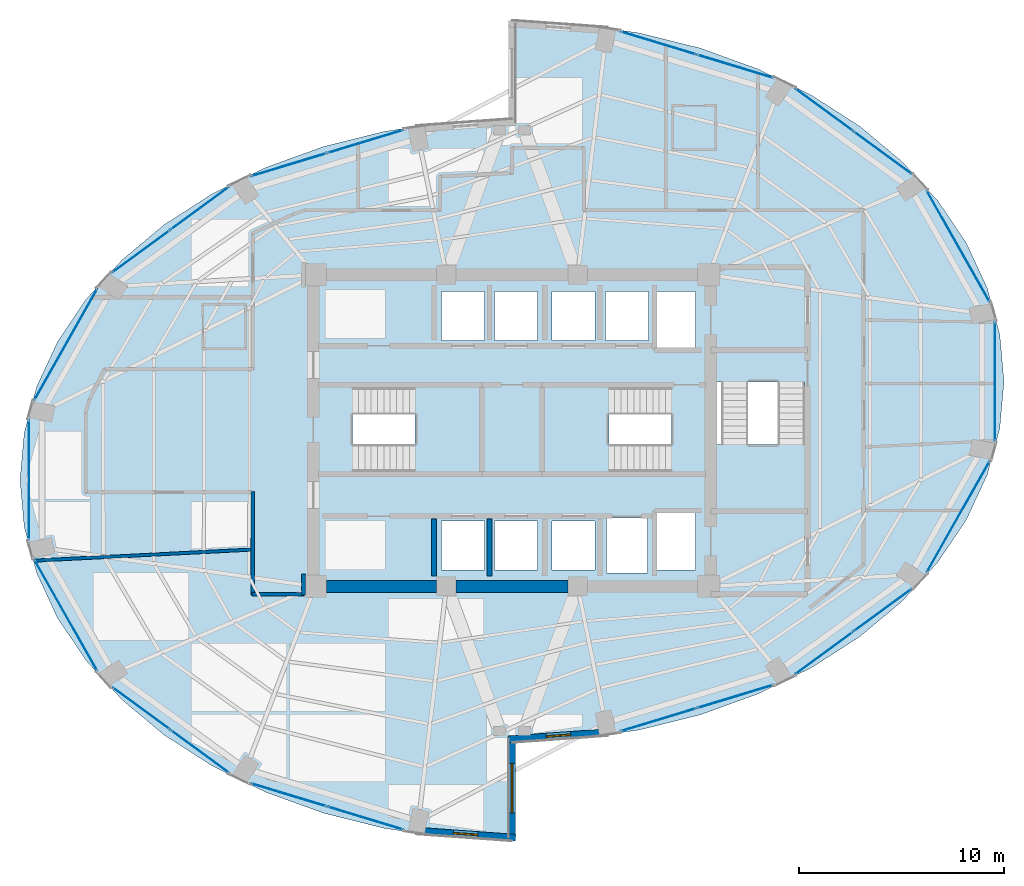
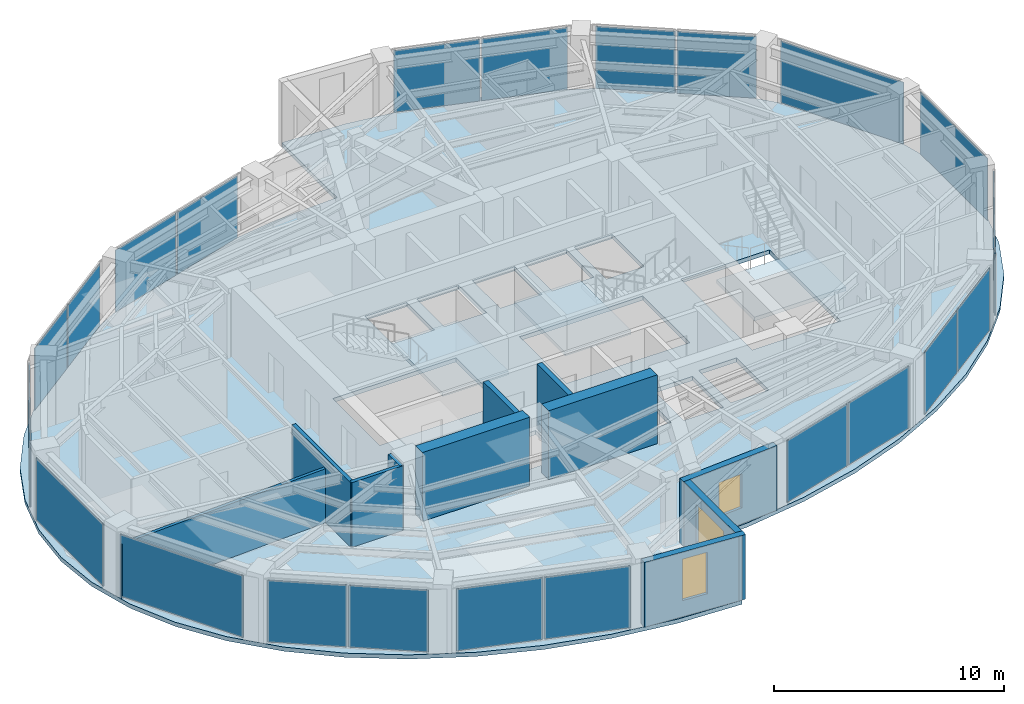
# One storey, part 15 of 20: 22 plates, 11 walls, 4 slabs, 3 windows, 3 openings, 17 elements without a shape of their own.
"""IFC4 building model written with IfcOpenShell, lengths in metres."""

import ifcopenshell
import ifcopenshell.guid

model = None  # the IFC model being written
_history = None  # IfcOwnerHistory: only IFC2X3 demands one
_inside = {}  # id of a spatial element -> (the spatial element, [elements in it])
_under = {}  # id of a project, library or spatial element -> (it, [spatial elements below it])
_declared = {}  # id of a project -> (the project, [libraries it declares])
_typed = {}  # id of a type object -> (the type object, [elements of that type])
_made_of = {}  # id of a material, layer set ... -> (it, [elements and type objects made of it])


def new_model(schema):
    """Start an empty IFC model of exactly this schema.

    Asked for "IFC4X3", IfcOpenShell would pick the latest addendum, in which some entities
    have other attributes; the version numbers below select the first issue.
    IFC2X3 requires an IfcOwnerHistory on every rooted entity: one is made here for all.
    """
    global model, _history
    if schema == "IFC4X3":
        model = ifcopenshell.file(schema_version=(4, 3, 0, 0))
    else:
        model = ifcopenshell.file(schema=schema)
    _inside.clear()
    _under.clear()
    _declared.clear()
    _typed.clear()
    _made_of.clear()
    _history = None
    if model.schema == "IFC2X3":
        org = make("IfcOrganization", Name="unknown")
        user = make(
            "IfcPersonAndOrganization",
            ThePerson=make("IfcPerson", FamilyName="unknown"),
            TheOrganization=org,
        )
        app = make(
            "IfcApplication",
            ApplicationDeveloper=org,
            Version="unknown",
            ApplicationFullName="unknown",
            ApplicationIdentifier="unknown",
        )
        _history = make(
            "IfcOwnerHistory",
            OwningUser=user,
            OwningApplication=app,
            ChangeAction="ADDED",
            CreationDate=0,
        )
    return model


def make(cls, **values):
    """One entity of the class cls with the attributes given. An attribute that is None is left unset."""
    return model.create_entity(
        cls, **{name: value for name, value in values.items() if value is not None}
    )


def rooted(cls, **values):
    """An entity with a GlobalId (a new one), such as an element, a storey or a relation."""
    return make(cls, GlobalId=ifcopenshell.guid.new(), OwnerHistory=_history, **values)


def si_unit(unit_type, name, prefix=None):
    """IfcSIUnit, for example si_unit("LENGTHUNIT", "METRE", prefix="MILLI")."""
    return make("IfcSIUnit", UnitType=unit_type, Prefix=prefix, Name=name)


def assignment(units):
    """IfcUnitAssignment: the units of a project."""
    return None if units is None else make("IfcUnitAssignment", Units=units)


def point(xyz):
    """IfcCartesianPoint."""
    return None if xyz is None else make("IfcCartesianPoint", Coordinates=xyz)


def direction(xyz):
    """IfcDirection."""
    return None if xyz is None else make("IfcDirection", DirectionRatios=xyz)


def frame(location, z_axis=None, x_axis=None):
    """IfcAxis2Placement3D, a coordinate frame: its origin and axes. An axis left out is left unset."""
    return make(
        "IfcAxis2Placement3D",
        Location=point(location),
        Axis=direction(z_axis),
        RefDirection=direction(x_axis),
    )


def frame_2d(location, x_axis=None):
    """IfcAxis2Placement2D, a coordinate frame in the plane: its origin and x axis."""
    return make(
        "IfcAxis2Placement2D", Location=point(location), RefDirection=direction(x_axis)
    )


def origin():
    """The frame at (0, 0, 0) with its axes left unset."""
    return frame((0.0, 0.0, 0.0))


def origin_2d():
    """The frame at (0, 0) in the plane with its x axis left unset."""
    return frame_2d((0.0, 0.0))


def place(relative_to, where):
    """IfcLocalPlacement: puts the frame where relative to a parent placement (None: the world)."""
    return make(
        "IfcLocalPlacement", PlacementRelTo=relative_to, RelativePlacement=where
    )


def context(
    kind, dimensions, precision=None, world=None, true_north=None, identifier=None
):
    """IfcGeometricRepresentationContext, for example the 3D "Model" context."""
    return make(
        "IfcGeometricRepresentationContext",
        ContextIdentifier=identifier,
        ContextType=kind,
        CoordinateSpaceDimension=dimensions,
        Precision=precision,
        WorldCoordinateSystem=world,
        TrueNorth=true_north,
    )


def subcontext(parent, identifier, kind, view, scale=None):
    """IfcGeometricRepresentationSubContext, for example "Body" below "Model"."""
    return make(
        "IfcGeometricRepresentationSubContext",
        ContextIdentifier=identifier,
        ContextType=kind,
        ParentContext=parent,
        TargetScale=scale,
        TargetView=view,
    )


def project(units=None, contexts=None):
    """IfcProject with its units and contexts."""
    return rooted(
        "IfcProject",
        Name="project",
        RepresentationContexts=contexts,
        UnitsInContext=assignment(units),
    )


def spatial(cls, under=None, at=None, **own):
    """A site, building, storey or space (cls), placed at a placement, below another one or the project."""
    s = rooted(cls, ObjectPlacement=at, **own)
    if under is not None:
        _under.setdefault(under.id(), (under, []))[1].append(s)
    return s


def polyline(points):
    """IfcPolyline through the points."""
    return make("IfcPolyline", Points=[point(p) for p in points])


def profile(cls, at=None, kind="AREA", **sizes):
    """A parametric profile (cls). Its sizes go by their IFC names, for example OverallWidth=200.0."""
    return make(cls, ProfileType=kind, Position=at, **sizes)


def rectangle(**sizes):
    """IfcRectangleProfileDef."""
    return profile("IfcRectangleProfileDef", **sizes)


def outline(outer, holes=None, kind="AREA"):
    """IfcArbitraryClosedProfileDef: a profile drawn as a closed curve; with holes, ...WithVoids."""
    if holes is None:
        return make("IfcArbitraryClosedProfileDef", ProfileType=kind, OuterCurve=outer)
    return make(
        "IfcArbitraryProfileDefWithVoids",
        ProfileType=kind,
        OuterCurve=outer,
        InnerCurves=holes,
    )


def extrude(swept, where, along, depth):
    """IfcExtrudedAreaSolid: the profile swept, set in the frame where, extruded along a direction by depth."""
    return make(
        "IfcExtrudedAreaSolid",
        SweptArea=swept,
        Position=where,
        ExtrudedDirection=direction(along),
        Depth=depth,
    )


def shape(context_of_items, identifier, shape_type, items):
    """IfcShapeRepresentation: the items that make up one representation, for example the "Body"."""
    return make(
        "IfcShapeRepresentation",
        ContextOfItems=context_of_items,
        RepresentationIdentifier=identifier,
        RepresentationType=shape_type,
        Items=items,
    )


def material(Name=None, Category=None):
    """IfcMaterial."""
    return make("IfcMaterial", Name=Name, Category=Category)


def layer(
    of_material, thickness, ventilated=None, Name=None, Category=None, Priority=None
):
    """IfcMaterialLayer: one layer of a wall or slab, of a material (None: an air gap)."""
    return make(
        "IfcMaterialLayer",
        Material=of_material,
        LayerThickness=thickness,
        IsVentilated=ventilated,
        Name=Name,
        Category=Category,
        Priority=Priority,
    )


def layer_set(layers, Name=None):
    """IfcMaterialLayerSet."""
    return make("IfcMaterialLayerSet", MaterialLayers=layers, LayerSetName=Name)


def made_of(thing, what):
    """Note that an element or type object is made of a material, layer set ...; save() writes the relation."""
    if what is not None:
        _made_of.setdefault(what.id(), (what, []))[1].append(thing)
    return thing


def type_object(cls, material=None, **own):
    """A type object (cls), such as IfcWallType, which elements share."""
    return made_of(rooted(cls, **own), material)


def element(
    cls,
    number,
    at=None,
    inside=None,
    cuts=None,
    type_object=None,
    material=None,
    context=None,
    identifier="Body",
    shape_type=None,
    held_by="IfcProductDefinitionShape",
    body=None,
    shapes=None,
    **own,
):
    """One element of the class cls, such as IfcWall. Its Tag is "e" and its number.

    at: its placement. inside: the storey or other place that contains it. cuts: it is an
    opening in that element (IfcRelVoidsElement). A single representation is given by context,
    identifier, shape_type and body (its items); several are given by shapes. held_by: the class
    of the entity that holds the representations. save() writes the other relations.
    """
    e = rooted(cls, Tag="e%d" % number, ObjectPlacement=at, **own)
    if body is not None:
        shapes = [shape(context, identifier, shape_type, body)]
    if shapes is not None:
        e.Representation = make(held_by, Representations=shapes)
    if inside is not None:
        _inside.setdefault(inside.id(), (inside, []))[1].append(e)
    if cuts is not None:
        rooted(
            "IfcRelVoidsElement", RelatingBuildingElement=cuts, RelatedOpeningElement=e
        )
    if type_object is not None:
        _typed.setdefault(type_object.id(), (type_object, []))[1].append(e)
    return made_of(e, material)


def fill(opening, filler):
    """IfcRelFillsElement: the door or window that sits in an opening."""
    return rooted(
        "IfcRelFillsElement",
        RelatingOpeningElement=opening,
        RelatedBuildingElement=filler,
    )


def aggregate(whole, parts):
    """IfcRelAggregates: a whole, such as a stair, and the parts it consists of."""
    return rooted("IfcRelAggregates", RelatingObject=whole, RelatedObjects=parts)


def save(model, path):
    """Write the relations noted so far, then the file.

    IfcRelAggregates (storeys below a building ...), IfcRelContainedInSpatialStructure (elements
    in a storey), IfcRelDefinesByType, IfcRelAssociatesMaterial and IfcRelDeclares: one each for
    every whole, place, type object, material and project.
    """
    for whole, parts in _under.values():
        aggregate(whole, parts)
    for where, things in _inside.values():
        rooted(
            "IfcRelContainedInSpatialStructure",
            RelatedElements=things,
            RelatingStructure=where,
        )
    for kind, things in _typed.values():
        rooted("IfcRelDefinesByType", RelatedObjects=things, RelatingType=kind)
    for what, things in _made_of.values():
        rooted("IfcRelAssociatesMaterial", RelatedObjects=things, RelatingMaterial=what)
    for by, libraries in _declared.values():
        rooted("IfcRelDeclares", RelatingContext=by, RelatedDefinitions=libraries)
    model.write(path)


model = new_model("IFC4")

# Units and contexts
model_context = context("Model", 3, precision=1e-05, world=origin(), true_north=direction((0.0, 1.0)))
body_context = subcontext(model_context, "Body", "Model", "MODEL_VIEW")
ifc_project = project(units=[si_unit("LENGTHUNIT", "METRE"), si_unit("AREAUNIT", "SQUARE_METRE"), si_unit("VOLUMEUNIT", "CUBIC_METRE"), si_unit("PLANEANGLEUNIT", "RADIAN"), si_unit("MASSUNIT", "GRAM", prefix="KILO")], contexts=[model_context])

# Site, building, storey
site_placement = place(None, origin())
site = spatial("IfcSite", under=ifc_project, at=site_placement, CompositionType="ELEMENT")
building_placement = place(site_placement, origin())
building = spatial("IfcBuilding", under=site, at=building_placement, Name="Lazwardi Medical Tower", CompositionType="ELEMENT")
storey_placement = place(building_placement, frame((0.0, 0.0, 145.583984375)))
storey = spatial("IfcBuildingStorey", under=building, at=storey_placement, Name="L37", CompositionType="ELEMENT", Elevation=145.583984375)

# Curtain wall, plates
ifc_material_1 = material(Name="Anodised bronze aluminium and solar control glazing", Category="aluminium")
ifc_layer_1 = layer(ifc_material_1, 0.195068359375)
ifc_layer_set_1 = layer_set([ifc_layer_1], Name="Anodised bronze aluminium and solar control glazing")
curtain_wall_type = type_object("IfcCurtainWallType", Name="CW-SYS-03", PredefinedType="NOTDEFINED", material=ifc_layer_set_1)
curtain_wall_1_placement = place(storey_placement, origin())
curtain_wall_1 = element("IfcCurtainWall", 1, at=curtain_wall_1_placement, inside=storey, type_object=curtain_wall_type, Name="L37 Unitised bronze curtain wall CW-03", PredefinedType="NOTDEFINED")
ifc_material_2 = material(Name="Low-e bronze solar control double glazing", Category="glass")
ifc_layer_2 = layer(ifc_material_2, 0.035888671875)
ifc_layer_set_2 = layer_set([ifc_layer_2], Name="Low-e bronze solar control double glazing")
plate_type = type_object("IfcPlateType", Name="PLT-GLZ-01", PredefinedType="CURTAIN_PANEL", material=ifc_layer_set_2)
plate_1_placement = place(storey_placement, frame((43.1435546875, 13.8935546875, 0.0751953125), z_axis=(0.0, 0.0, 1.0), x_axis=(0.956941516292, 0.290280785441, 0.0)))
plate_1 = element("IfcPlate", 2, at=plate_1_placement, type_object=plate_type, Name="CW-03 panel 1.1", PredefinedType="CURTAIN_PANEL", context=body_context, shape_type="SweptSolid", body=[
    extrude(rectangle(XDim=3.83642578125, YDim=0.035888671875, at=origin_2d()), origin(), (0.0, 0.0, 1.0), 3.278076171875),
])
plate_2_placement = place(storey_placement, frame((46.88671875, 15.029052734375, 0.0751953125), z_axis=(0.0, 0.0, 1.0), x_axis=(0.956941516292, 0.290280785441, 0.0)))
plate_2 = element("IfcPlate", 3, at=plate_2_placement, type_object=plate_type, Name="CW-03 panel 2.1", PredefinedType="CURTAIN_PANEL", context=body_context, shape_type="SweptSolid", body=[
    extrude(rectangle(XDim=3.83642578125, YDim=0.035888671875, at=origin_2d()), origin(), (0.0, 0.0, 1.0), 3.278076171875),
])
aggregate(curtain_wall_1, [plate_1, plate_2])

curtain_wall_2_placement = place(storey_placement, origin())
curtain_wall_2 = element("IfcCurtainWall", 4, at=curtain_wall_2_placement, inside=storey, type_object=curtain_wall_type, Name="L37 Unitised bronze curtain wall CW-03", PredefinedType="NOTDEFINED")
plate_3_placement = place(storey_placement, frame((51.2265625, 17.153076171875, 0.0751953125), z_axis=(0.0, 0.0, 1.0), x_axis=(0.806793249082, 0.590833862635, 0.0)))
plate_3 = element("IfcPlate", 5, at=plate_3_placement, type_object=plate_type, Name="CW-03 panel 1.1", PredefinedType="CURTAIN_PANEL", context=body_context, shape_type="SweptSolid", body=[
    extrude(rectangle(XDim=3.472412109375, YDim=0.035888671875, at=origin_2d()), origin(), (0.0, 0.0, 1.0), 3.278076171875),
])
plate_4_placement = place(storey_placement, frame((54.088623046875, 19.2490234375, 0.0751953125), z_axis=(0.0, 0.0, 1.0), x_axis=(0.806793249082, 0.590833862635, 0.0)))
plate_4 = element("IfcPlate", 6, at=plate_4_placement, type_object=plate_type, Name="CW-03 panel 2.1", PredefinedType="CURTAIN_PANEL", context=body_context, shape_type="SweptSolid", body=[
    extrude(rectangle(XDim=3.472412109375, YDim=0.035888671875, at=origin_2d()), origin(), (0.0, 0.0, 1.0), 3.278076171875),
])
aggregate(curtain_wall_2, [plate_3, plate_4])

# Curtain wall, plate
curtain_wall_3_placement = place(storey_placement, origin())
curtain_wall_3 = element("IfcCurtainWall", 7, at=curtain_wall_3_placement, inside=storey, type_object=curtain_wall_type, Name="L37 Unitised bronze curtain wall CW-03", PredefinedType="NOTDEFINED")
plate_5_placement = place(storey_placement, frame((57.764404296875, 23.798095703125, 0.0751953125), z_axis=(0.0, 0.0, 1.0), x_axis=(0.492311672683, 0.870418989303, 0.0)))
plate_5 = element("IfcPlate", 8, at=plate_5_placement, type_object=plate_type, Name="CW-03 panel 1.1", PredefinedType="CURTAIN_PANEL", context=body_context, shape_type="SweptSolid", body=[
    extrude(rectangle(XDim=6.208740234375, YDim=0.035888671875, at=origin_2d()), origin(), (0.0, 0.0, 1.0), 3.278076171875),
])
aggregate(curtain_wall_3, [plate_5])

curtain_wall_4_placement = place(storey_placement, origin())
curtain_wall_4 = element("IfcCurtainWall", 9, at=curtain_wall_4_placement, inside=storey, type_object=curtain_wall_type, Name="L37 Unitised bronze curtain wall CW-03", PredefinedType="NOTDEFINED")
plate_6_placement = place(storey_placement, frame((59.5576171875, 30.39990234375, 0.0751953125), z_axis=(0.0, 0.0, 1.0), x_axis=(0.0, 1.0, 0.0)))
plate_6 = element("IfcPlate", 10, at=plate_6_placement, type_object=plate_type, Name="CW-03 panel 1.1", PredefinedType="CURTAIN_PANEL", context=body_context, shape_type="SweptSolid", body=[
    extrude(rectangle(XDim=5.8408203125, YDim=0.035888671875, at=origin_2d()), origin(), (0.0, 0.0, 1.0), 3.278076171875),
])
aggregate(curtain_wall_4, [plate_6])

curtain_wall_5_placement = place(storey_placement, origin())
curtain_wall_5 = element("IfcCurtainWall", 11, at=curtain_wall_5_placement, inside=storey, type_object=curtain_wall_type, Name="L37 Unitised bronze curtain wall CW-03", PredefinedType="NOTDEFINED")
plate_7_placement = place(storey_placement, frame((57.764404296875, 37.001953125, 0.0751953125), z_axis=(0.0, 0.0, 1.0), x_axis=(-0.492311672683, 0.870418989303, 0.0)))
plate_7 = element("IfcPlate", 12, at=plate_7_placement, type_object=plate_type, Name="CW-03 panel 1.1", PredefinedType="CURTAIN_PANEL", context=body_context, shape_type="SweptSolid", body=[
    extrude(rectangle(XDim=6.208740234375, YDim=0.035888671875, at=origin_2d()), origin(), (0.0, 0.0, 1.0), 3.278076171875),
])
aggregate(curtain_wall_5, [plate_7])

# Curtain wall, plates
curtain_wall_6_placement = place(storey_placement, origin())
curtain_wall_6 = element("IfcCurtainWall", 13, at=curtain_wall_6_placement, inside=storey, type_object=curtain_wall_type, Name="L37 Unitised bronze curtain wall CW-03", PredefinedType="NOTDEFINED")
plate_8_placement = place(storey_placement, frame((54.088623046875, 41.551025390625, 0.0751953125), z_axis=(0.0, 0.0, 1.0), x_axis=(-0.806793249082, 0.590833862635, 0.0)))
plate_8 = element("IfcPlate", 14, at=plate_8_placement, type_object=plate_type, Name="CW-03 panel 1.1", PredefinedType="CURTAIN_PANEL", context=body_context, shape_type="SweptSolid", body=[
    extrude(rectangle(XDim=3.472412109375, YDim=0.035888671875, at=origin_2d()), origin(), (0.0, 0.0, 1.0), 3.278076171875),
])
plate_9_placement = place(storey_placement, frame((51.2265625, 43.64697265625, 0.0751953125), z_axis=(0.0, 0.0, 1.0), x_axis=(-0.806793249082, 0.590833862635, 0.0)))
plate_9 = element("IfcPlate", 15, at=plate_9_placement, type_object=plate_type, Name="CW-03 panel 2.1", PredefinedType="CURTAIN_PANEL", context=body_context, shape_type="SweptSolid", body=[
    extrude(rectangle(XDim=3.472412109375, YDim=0.035888671875, at=origin_2d()), origin(), (0.0, 0.0, 1.0), 3.278076171875),
])
aggregate(curtain_wall_6, [plate_8, plate_9])

curtain_wall_7_placement = place(storey_placement, origin())
curtain_wall_7 = element("IfcCurtainWall", 16, at=curtain_wall_7_placement, inside=storey, type_object=curtain_wall_type, Name="L37 Unitised bronze curtain wall CW-03", PredefinedType="NOTDEFINED")
plate_10_placement = place(storey_placement, frame((46.88671875, 45.77099609375, 0.0751953125), z_axis=(0.0, 0.0, 1.0), x_axis=(-0.956941516292, 0.290280785441, 0.0)))
plate_10 = element("IfcPlate", 17, at=plate_10_placement, type_object=plate_type, Name="CW-03 panel 1.1", PredefinedType="CURTAIN_PANEL", context=body_context, shape_type="SweptSolid", body=[
    extrude(rectangle(XDim=3.83642578125, YDim=0.035888671875, at=origin_2d()), origin(), (0.0, 0.0, 1.0), 3.278076171875),
])
plate_11_placement = place(storey_placement, frame((43.1435546875, 46.906494140625, 0.0751953125), z_axis=(0.0, 0.0, 1.0), x_axis=(-0.956941516292, 0.290280785441, 0.0)))
plate_11 = element("IfcPlate", 18, at=plate_11_placement, type_object=plate_type, Name="CW-03 panel 2.1", PredefinedType="CURTAIN_PANEL", context=body_context, shape_type="SweptSolid", body=[
    extrude(rectangle(XDim=3.83642578125, YDim=0.035888671875, at=origin_2d()), origin(), (0.0, 0.0, 1.0), 3.278076171875),
])
aggregate(curtain_wall_7, [plate_10, plate_11])

curtain_wall_8_placement = place(storey_placement, origin())
curtain_wall_8 = element("IfcCurtainWall", 19, at=curtain_wall_8_placement, inside=storey, type_object=curtain_wall_type, Name="L37 Unitised bronze curtain wall CW-03", PredefinedType="NOTDEFINED")
plate_12_placement = place(storey_placement, frame((28.8564453125, 42.1064453125, 0.0751953125), z_axis=(0.0, 0.0, 1.0), x_axis=(-0.956941516292, -0.290280785441, 0.0)))
plate_12 = element("IfcPlate", 20, at=plate_12_placement, type_object=plate_type, Name="CW-03 panel 1.1", PredefinedType="CURTAIN_PANEL", context=body_context, shape_type="SweptSolid", body=[
    extrude(rectangle(XDim=3.83642578125, YDim=0.035888671875, at=origin_2d()), origin(), (0.0, 0.0, 1.0), 3.278076171875),
])
plate_13_placement = place(storey_placement, frame((25.11328125, 40.970947265625, 0.0751953125), z_axis=(0.0, 0.0, 1.0), x_axis=(-0.956941516292, -0.290280785441, 0.0)))
plate_13 = element("IfcPlate", 21, at=plate_13_placement, type_object=plate_type, Name="CW-03 panel 2.1", PredefinedType="CURTAIN_PANEL", context=body_context, shape_type="SweptSolid", body=[
    extrude(rectangle(XDim=3.83642578125, YDim=0.035888671875, at=origin_2d()), origin(), (0.0, 0.0, 1.0), 3.278076171875),
])
aggregate(curtain_wall_8, [plate_12, plate_13])

curtain_wall_9_placement = place(storey_placement, origin())
curtain_wall_9 = element("IfcCurtainWall", 22, at=curtain_wall_9_placement, inside=storey, type_object=curtain_wall_type, Name="L37 Unitised bronze curtain wall CW-03", PredefinedType="NOTDEFINED")
plate_14_placement = place(storey_placement, frame((20.7734375, 38.846923828125, 0.0751953125), z_axis=(0.0, 0.0, 1.0), x_axis=(-0.806793249082, -0.590833862635, 0.0)))
plate_14 = element("IfcPlate", 23, at=plate_14_placement, type_object=plate_type, Name="CW-03 panel 1.1", PredefinedType="CURTAIN_PANEL", context=body_context, shape_type="SweptSolid", body=[
    extrude(rectangle(XDim=3.472412109375, YDim=0.035888671875, at=origin_2d()), origin(), (0.0, 0.0, 1.0), 3.278076171875),
])
plate_15_placement = place(storey_placement, frame((17.911376953125, 36.7509765625, 0.0751953125), z_axis=(0.0, 0.0, 1.0), x_axis=(-0.806793249082, -0.590833862635, 0.0)))
plate_15 = element("IfcPlate", 24, at=plate_15_placement, type_object=plate_type, Name="CW-03 panel 2.1", PredefinedType="CURTAIN_PANEL", context=body_context, shape_type="SweptSolid", body=[
    extrude(rectangle(XDim=3.472412109375, YDim=0.035888671875, at=origin_2d()), origin(), (0.0, 0.0, 1.0), 3.278076171875),
])
aggregate(curtain_wall_9, [plate_14, plate_15])

# Curtain wall, plate
curtain_wall_10_placement = place(storey_placement, origin())
curtain_wall_10 = element("IfcCurtainWall", 25, at=curtain_wall_10_placement, inside=storey, type_object=curtain_wall_type, Name="L37 Unitised bronze curtain wall CW-03", PredefinedType="NOTDEFINED")
plate_16_placement = place(storey_placement, frame((14.235595703125, 32.201904296875, 0.0751953125), z_axis=(0.0, 0.0, 1.0), x_axis=(-0.492311672683, -0.870418989303, 0.0)))
plate_16 = element("IfcPlate", 26, at=plate_16_placement, type_object=plate_type, Name="CW-03 panel 1.1", PredefinedType="CURTAIN_PANEL", context=body_context, shape_type="SweptSolid", body=[
    extrude(rectangle(XDim=6.208740234375, YDim=0.035888671875, at=origin_2d()), origin(), (0.0, 0.0, 1.0), 3.278076171875),
])
aggregate(curtain_wall_10, [plate_16])

curtain_wall_11_placement = place(storey_placement, origin())
curtain_wall_11 = element("IfcCurtainWall", 27, at=curtain_wall_11_placement, inside=storey, type_object=curtain_wall_type, Name="L37 Unitised bronze curtain wall CW-03", PredefinedType="NOTDEFINED")
plate_17_placement = place(storey_placement, frame((12.4423828125, 25.60009765625, 0.0751953125), z_axis=(0.0, 0.0, 1.0), x_axis=(0.0, -1.0, 0.0)))
plate_17 = element("IfcPlate", 28, at=plate_17_placement, type_object=plate_type, Name="CW-03 panel 1.1", PredefinedType="CURTAIN_PANEL", context=body_context, shape_type="SweptSolid", body=[
    extrude(rectangle(XDim=5.8408203125, YDim=0.035888671875, at=origin_2d()), origin(), (0.0, 0.0, 1.0), 3.278076171875),
])
aggregate(curtain_wall_11, [plate_17])

curtain_wall_12_placement = place(storey_placement, origin())
curtain_wall_12 = element("IfcCurtainWall", 29, at=curtain_wall_12_placement, inside=storey, type_object=curtain_wall_type, Name="L37 Unitised bronze curtain wall CW-03", PredefinedType="NOTDEFINED")
plate_18_placement = place(storey_placement, frame((14.235595703125, 18.998046875, 0.0751953125), z_axis=(0.0, 0.0, 1.0), x_axis=(0.492311672683, -0.870418989303, 0.0)))
plate_18 = element("IfcPlate", 30, at=plate_18_placement, type_object=plate_type, Name="CW-03 panel 1.1", PredefinedType="CURTAIN_PANEL", context=body_context, shape_type="SweptSolid", body=[
    extrude(rectangle(XDim=6.208740234375, YDim=0.035888671875, at=origin_2d()), origin(), (0.0, 0.0, 1.0), 3.278076171875),
])
aggregate(curtain_wall_12, [plate_18])

# Curtain wall, plates
curtain_wall_13_placement = place(storey_placement, origin())
curtain_wall_13 = element("IfcCurtainWall", 31, at=curtain_wall_13_placement, inside=storey, type_object=curtain_wall_type, Name="L37 Unitised bronze curtain wall CW-03", PredefinedType="NOTDEFINED")
plate_19_placement = place(storey_placement, frame((17.911376953125, 14.448974609375, 0.0751953125), z_axis=(0.0, 0.0, 1.0), x_axis=(0.806793249082, -0.590833862635, 0.0)))
plate_19 = element("IfcPlate", 32, at=plate_19_placement, type_object=plate_type, Name="CW-03 panel 1.1", PredefinedType="CURTAIN_PANEL", context=body_context, shape_type="SweptSolid", body=[
    extrude(rectangle(XDim=3.472412109375, YDim=0.035888671875, at=origin_2d()), origin(), (0.0, 0.0, 1.0), 3.278076171875),
])
plate_20_placement = place(storey_placement, frame((20.7734375, 12.35302734375, 0.0751953125), z_axis=(0.0, 0.0, 1.0), x_axis=(0.806793249082, -0.590833862635, 0.0)))
plate_20 = element("IfcPlate", 33, at=plate_20_placement, type_object=plate_type, Name="CW-03 panel 2.1", PredefinedType="CURTAIN_PANEL", context=body_context, shape_type="SweptSolid", body=[
    extrude(rectangle(XDim=3.472412109375, YDim=0.035888671875, at=origin_2d()), origin(), (0.0, 0.0, 1.0), 3.278076171875),
])
aggregate(curtain_wall_13, [plate_19, plate_20])

curtain_wall_14_placement = place(storey_placement, origin())
curtain_wall_14 = element("IfcCurtainWall", 34, at=curtain_wall_14_placement, inside=storey, type_object=curtain_wall_type, Name="L37 Unitised bronze curtain wall CW-03", PredefinedType="NOTDEFINED")
plate_21_placement = place(storey_placement, frame((25.11328125, 10.22900390625, 0.0751953125), z_axis=(0.0, 0.0, 1.0), x_axis=(0.956941516292, -0.290280785441, 0.0)))
plate_21 = element("IfcPlate", 35, at=plate_21_placement, type_object=plate_type, Name="CW-03 panel 1.1", PredefinedType="CURTAIN_PANEL", context=body_context, shape_type="SweptSolid", body=[
    extrude(rectangle(XDim=3.83642578125, YDim=0.035888671875, at=origin_2d()), origin(), (0.0, 0.0, 1.0), 3.278076171875),
])
plate_22_placement = place(storey_placement, frame((28.8564453125, 9.093505859375, 0.0751953125), z_axis=(0.0, 0.0, 1.0), x_axis=(0.956941516292, -0.290280785441, 0.0)))
plate_22 = element("IfcPlate", 36, at=plate_22_placement, type_object=plate_type, Name="CW-03 panel 2.1", PredefinedType="CURTAIN_PANEL", context=body_context, shape_type="SweptSolid", body=[
    extrude(rectangle(XDim=3.83642578125, YDim=0.035888671875, at=origin_2d()), origin(), (0.0, 0.0, 1.0), 3.278076171875),
])
aggregate(curtain_wall_14, [plate_21, plate_22])

# Stair, slab
ifc_material_3 = material(Name="Concrete C45/55", Category="concrete")
stair_type = type_object("IfcStairType", Name="STR-WRD", PredefinedType="HALF_TURN_STAIR", material=ifc_material_3)
stair_1_placement = place(storey_placement, origin())
stair_1 = element("IfcStair", 37, at=stair_1_placement, inside=storey, type_object=stair_type, Name="L37 Protected Exit Stair ST1", PredefinedType="HALF_TURN_STAIR")
ifc_layer_3 = layer(ifc_material_3, 0.199951171875)
ifc_layer_set_3 = layer_set([ifc_layer_3], Name="Concrete C45/55")
slab_type_1 = type_object("IfcSlabType", Name="SLB-LND-190", PredefinedType="LANDING", material=ifc_layer_set_3)
slab_1_placement = place(storey_placement, frame((0.0, 0.0, 1.6240234375)))
slab_1 = element("IfcSlab", 38, at=slab_1_placement, type_object=slab_type_1, Name="ST1 landing 1", PredefinedType="LANDING", context=body_context, shape_type="SweptSolid", body=[
    extrude(outline(polyline([(31.27490234375, 25.840087890625), (34.580078125, 25.840087890625), (34.580078125, 30.280029296875), (31.27490234375, 30.280029296875), (31.27490234375, 25.840087890625)])), origin(), (0.0, 0.0, 1.0), 0.199951171875),
])
aggregate(stair_1, [slab_1])

stair_2_placement = place(storey_placement, origin())
stair_2 = element("IfcStair", 39, at=stair_2_placement, inside=storey, type_object=stair_type, Name="L37 Protected Exit Stair ST2", PredefinedType="HALF_TURN_STAIR")
slab_2_placement = place(storey_placement, frame((0.0, 0.0, 1.6240234375)))
slab_2 = element("IfcSlab", 40, at=slab_2_placement, type_object=slab_type_1, Name="ST2 landing 1", PredefinedType="LANDING", context=body_context, shape_type="SweptSolid", body=[
    extrude(outline(polyline([(40.72509765625, 30.280029296875), (37.419921875, 30.280029296875), (37.419921875, 25.840087890625), (40.72509765625, 25.840087890625), (40.72509765625, 30.280029296875)])), origin(), (0.0, 0.0, 1.0), 0.199951171875),
])
aggregate(stair_2, [slab_2])

stair_3_placement = place(storey_placement, origin())
stair_3 = element("IfcStair", 41, at=stair_3_placement, inside=storey, type_object=stair_type, Name="L37 Protected Exit Stair ST3", PredefinedType="HALF_TURN_STAIR")
slab_3_placement = place(storey_placement, frame((0.0, 0.0, 1.6240234375)))
slab_3 = element("IfcSlab", 42, at=slab_3_placement, type_object=slab_type_1, Name="ST3 landing 1", PredefinedType="LANDING", context=body_context, shape_type="SweptSolid", body=[
    extrude(outline(polyline([(45.860107421875, 27.324951171875), (45.860107421875, 24.02001953125), (50.4599609375, 24.02001953125), (50.4599609375, 27.324951171875), (45.860107421875, 27.324951171875)])), origin(), (0.0, 0.0, 1.0), 0.199951171875),
])
aggregate(stair_3, [slab_3])

# Slab
ifc_material_4 = material(Name="Concrete C50/60", Category="concrete")
ifc_layer_4 = layer(ifc_material_4, 0.219970703125)
ifc_layer_set_4 = layer_set([ifc_layer_4], Name="Concrete C50/60")
slab_type_2 = type_object("IfcSlabType", Name="SLB-WRD-220", PredefinedType="FLOOR", material=ifc_layer_set_4)
slab_4_placement = place(storey_placement, frame((0.0, 0.0, -0.219970703125)))
element("IfcSlab", 43, at=slab_4_placement, inside=storey, type_object=slab_type_2, Name="Structural floor slab SF-03 L37", PredefinedType="FLOOR", context=body_context, shape_type="SweptSolid", body=[
    extrude(outline(polyline([(12.205322265625, 23.302734375), (12.81787109375, 21.044921875), (13.826904296875, 18.86474609375), (15.21533203125, 16.800048828125), (16.95947265625, 14.8857421875), (19.029296875, 13.15478515625), (21.3896484375, 11.636962890625), (24.0, 10.35791015625), (26.815673828125, 9.339599609375), (29.788330078125, 8.599609375), (32.867431640625, 8.150634765625), (36.0, 8.0), (36.0, 12.800048828125), (39.132568359375, 12.95068359375), (42.211669921875, 13.399658203125), (45.184326171875, 14.1396484375), (48.0, 15.157958984375), (50.6103515625, 16.43701171875), (52.970703125, 17.954833984375), (55.04052734375, 19.685791015625), (56.78466796875, 21.60009765625), (58.173095703125, 23.664794921875), (59.18212890625, 25.8447265625), (59.794677734375, 28.102783203125), (60.0, 30.39990234375), (59.794677734375, 32.697265625), (59.18212890625, 34.955078125), (58.173095703125, 37.13525390625), (56.78466796875, 39.199951171875), (55.04052734375, 41.1142578125), (52.970703125, 42.84521484375), (50.6103515625, 44.363037109375), (48.0, 45.64208984375), (45.184326171875, 46.660400390625), (42.211669921875, 47.400390625), (39.132568359375, 47.849365234375), (36.0, 48.0), (36.0, 43.199951171875), (32.867431640625, 43.04931640625), (29.788330078125, 42.600341796875), (26.815673828125, 41.8603515625), (24.0, 40.842041015625), (21.3896484375, 39.56298828125), (19.029296875, 38.045166015625), (16.95947265625, 36.314208984375), (15.21533203125, 34.39990234375), (13.826904296875, 32.335205078125), (12.81787109375, 30.1552734375), (12.205322265625, 27.897216796875), (12.0, 25.60009765625), (12.205322265625, 23.302734375)]), holes=[polyline([(28.22509765625, 26.02001953125), (28.22509765625, 30.10009765625), (34.39990234375, 30.10009765625), (34.39990234375, 26.02001953125), (28.22509765625, 26.02001953125)]), polyline([(37.60009765625, 30.10009765625), (43.77490234375, 30.10009765625), (43.77490234375, 26.02001953125), (37.60009765625, 26.02001953125), (37.60009765625, 30.10009765625)]), polyline([(50.280029296875, 30.375), (50.280029296875, 24.179931640625), (45.840087890625, 24.179931640625), (45.840087890625, 30.375), (50.280029296875, 30.375)]), polyline([(34.64990234375, 32.39990234375), (32.550048828125, 32.39990234375), (32.550048828125, 34.800048828125), (34.64990234375, 34.800048828125), (34.64990234375, 32.39990234375)]), polyline([(35.14990234375, 32.39990234375), (35.14990234375, 34.800048828125), (37.25, 34.800048828125), (37.25, 32.39990234375), (35.14990234375, 32.39990234375)]), polyline([(32.550048828125, 23.60009765625), (34.64990234375, 23.60009765625), (34.64990234375, 21.199951171875), (32.550048828125, 21.199951171875), (32.550048828125, 23.60009765625)]), polyline([(37.25, 23.60009765625), (37.25, 21.199951171875), (35.14990234375, 21.199951171875), (35.14990234375, 23.60009765625), (37.25, 23.60009765625)]), polyline([(40.050048828125, 32.39990234375), (37.949951171875, 32.39990234375), (37.949951171875, 34.800048828125), (40.050048828125, 34.800048828125), (40.050048828125, 32.39990234375)]), polyline([(40.550048828125, 32.39990234375), (40.550048828125, 34.800048828125), (42.64990234375, 34.800048828125), (42.64990234375, 32.39990234375), (40.550048828125, 32.39990234375)]), polyline([(37.949951171875, 23.60009765625), (40.050048828125, 23.60009765625), (40.050048828125, 21.199951171875), (37.949951171875, 21.199951171875), (37.949951171875, 23.60009765625)]), polyline([(44.949951171875, 34.800048828125), (44.949951171875, 32.0), (43.050048828125, 32.0), (43.050048828125, 34.800048828125), (44.949951171875, 34.800048828125)]), polyline([(44.949951171875, 21.199951171875), (43.050048828125, 21.199951171875), (43.050048828125, 24.0), (44.949951171875, 24.0), (44.949951171875, 21.199951171875)]), polyline([(40.60009765625, 21.050048828125), (40.60009765625, 23.75), (42.60009765625, 23.75), (42.60009765625, 21.050048828125), (40.60009765625, 21.050048828125)])]), origin(), (0.0, 0.0, 1.0), 0.219970703125),
])

# Walls
ifc_material_5 = material(Name="Fire-rated gypsum board on steel stud", Category="steel")
ifc_layer_5 = layer(ifc_material_5, 0.179931640625)
ifc_layer_set_5 = layer_set([ifc_layer_5], Name="Fire-rated gypsum board on steel stud")
wall_type_1 = type_object("IfcWallType", Name="WL-COR-180", PredefinedType="PARTITIONING", material=ifc_layer_set_5)
wall_1_placement = place(storey_placement, frame((25.830078125, 21.010009765625, 0.0), z_axis=(0.0, 0.0, 1.0), x_axis=(0.0, -1.0, 0.0)))
element("IfcWall", 44, at=wall_1_placement, inside=storey, type_object=wall_type_1, Name="L37 Corridor partition 16", PredefinedType="PARTITIONING", context=body_context, shape_type="SweptSolid", body=[
    extrude(rectangle(XDim=1.030029296875, YDim=0.179931640625, at=frame_2d((0.51513671875, 0.0))), origin(), (0.0, 0.0, 1.0), 3.427978515625),
])
wall_2_placement = place(storey_placement, frame((25.8701171875, 20.02001953125, 0.0), z_axis=(0.0, 0.0, 1.0), x_axis=(-1.0, 0.0, 0.0)))
element("IfcWall", 45, at=wall_2_placement, inside=storey, type_object=wall_type_1, Name="L37 Corridor partition 17", PredefinedType="PARTITIONING", context=body_context, shape_type="SweptSolid", body=[
    extrude(rectangle(XDim=2.56005859375, YDim=0.179931640625, at=frame_2d((1.280029296875, 0.0))), origin(), (0.0, 0.0, 1.0), 3.427978515625),
])
wall_3_placement = place(storey_placement, frame((23.35009765625, 19.97998046875, 0.0), z_axis=(0.0, 0.0, 1.0), x_axis=(0.0, 1.0, 0.0)))
element("IfcWall", 46, at=wall_3_placement, inside=storey, type_object=wall_type_1, Name="L37 Corridor partition 18", PredefinedType="PARTITIONING", context=body_context, shape_type="SweptSolid", body=[
    extrude(rectangle(XDim=5.06005859375, YDim=0.179931640625, at=frame_2d((2.530029296875, 0.0))), origin(), (0.0, 0.0, 1.0), 3.427978515625),
])
ifc_material_6 = material(Name="Concrete C60/75", Category="concrete")
ifc_layer_6 = layer(ifc_material_6, 0.60009765625)
ifc_layer_set_6 = layer_set([ifc_layer_6], Name="Concrete C60/75")
wall_type_2 = type_object("IfcWallType", Name="WL-CORE-600", PredefinedType="SHEAR", material=ifc_layer_set_6)
wall_4_placement = place(storey_placement, frame((26.949951171875, 20.39990234375, 0.0), z_axis=(0.0, 0.0, 1.0), x_axis=(1.0, 0.0, 0.0)))
element("IfcWall", 47, at=wall_4_placement, inside=storey, type_object=wall_type_2, Name="Core wall CW-S3 S1 L37", PredefinedType="SHEAR", context=body_context, shape_type="SweptSolid", body=[
    extrude(rectangle(XDim=5.375, YDim=0.60009765625, at=frame_2d((2.6875, 0.0))), origin(), (0.0, 0.0, 1.0), 3.64794921875),
])
wall_5_placement = place(storey_placement, frame((33.27490234375, 20.39990234375, 0.0), z_axis=(0.0, 0.0, 1.0), x_axis=(1.0, 0.0, 0.0)))
element("IfcWall", 48, at=wall_5_placement, inside=storey, type_object=wall_type_2, Name="Core wall CW-S3 S2 L37", PredefinedType="SHEAR", context=body_context, shape_type="SweptSolid", body=[
    extrude(rectangle(XDim=5.4501953125, YDim=0.60009765625, at=frame_2d((2.72509765625, 0.0))), origin(), (0.0, 0.0, 1.0), 3.64794921875),
])

# Wall, opening, window
ifc_material_7 = material(Name="Precast concrete C45/55", Category="concrete")
ifc_layer_7 = layer(ifc_material_7, 0.320068359375)
ifc_layer_set_7 = layer_set([ifc_layer_7], Name="Precast concrete C45/55")
wall_type_3 = type_object("IfcWallType", Name="WL-IWAN-320", PredefinedType="SOLIDWALL", material=ifc_layer_set_7)
wall_6_placement = place(storey_placement, frame((35.820556640625, 12.947021484375, 0.0), z_axis=(0.0, 0.0, 1.0), x_axis=(0.997415460462, 0.071849838072, 0.0)))
wall_6 = element("IfcWall", 49, at=wall_6_placement, inside=storey, type_object=wall_type_3, Name="L37 Iwan Portal Return Wall SE_ret", PredefinedType="SOLIDWALL", context=body_context, shape_type="SweptSolid", body=[
    extrude(rectangle(XDim=4.89306640625, YDim=0.320068359375, at=frame_2d((2.446533203125, 0.0))), origin(), (0.0, 0.0, 1.0), 3.427978515625),
])
opening_1_placement = place(wall_6_placement, frame((1.846435546875, 0.0, 0.85009765625)))
opening_1 = element("IfcOpeningElement", 50, at=opening_1_placement, cuts=wall_6, Name="Opening WN-04", PredefinedType="OPENING", context=body_context, shape_type="SweptSolid", body=[
    extrude(rectangle(XDim=1.199951171875, YDim=1.800048828125, at=frame_2d((0.60009765625, 0.89990234375))), frame((0.0, 0.169921875, 0.0), z_axis=(0.0, -1.0, 0.0), x_axis=(1.0, 0.0, 0.0)), (0.0, 0.0, 1.0), 0.340087890625),
])
window_type_1 = type_object("IfcWindowType", Name="WIN-DRUM-1200", PartitioningType="SINGLE_PANEL", PredefinedType="WINDOW", material=ifc_material_2)
window_1_placement = place(opening_1_placement, origin())
window_1 = element("IfcWindow", 51, at=window_1_placement, inside=storey, type_object=window_type_1, Name="L37 Iwan Slot Window SE_ret", OverallHeight=1.800048828125, OverallWidth=1.199951171875, PartitioningType="SINGLE_PANEL", PredefinedType="WINDOW", context=body_context, shape_type="SweptSolid", body=[
    extrude(rectangle(XDim=1.199951171875, YDim=1.800048828125, at=frame_2d((0.60009765625, 0.89990234375))), frame((0.0, 0.030029296875, 0.0), z_axis=(0.0, -1.0, 0.0), x_axis=(1.0, 0.0, 0.0)), (0.0, 0.0, 1.0), 0.06005859375),
])
fill(opening_1, window_1)

wall_7_placement = place(storey_placement, frame((31.299072265625, 8.498779296875, 0.0), z_axis=(0.0, 0.0, 1.0), x_axis=(0.997415202861, -0.071853413984, 0.0)))
wall_7 = element("IfcWall", 52, at=wall_7_placement, inside=storey, type_object=wall_type_3, Name="L37 Iwan Portal Return Wall SW_ret", PredefinedType="SOLIDWALL", context=body_context, shape_type="SweptSolid", body=[
    extrude(rectangle(XDim=4.892822265625, YDim=0.320068359375, at=frame_2d((2.4462890625, 0.0))), origin(), (0.0, 0.0, 1.0), 3.427978515625),
])
opening_2_placement = place(wall_7_placement, frame((1.84619140625, 0.0, 0.85009765625)))
opening_2 = element("IfcOpeningElement", 53, at=opening_2_placement, cuts=wall_7, Name="Opening WN-01", PredefinedType="OPENING", context=body_context, shape_type="SweptSolid", body=[
    extrude(rectangle(XDim=1.199951171875, YDim=2.199951171875, at=frame_2d((0.60009765625, 1.10009765625))), frame((0.0, 0.169921875, 0.0), z_axis=(0.0, -1.0, 0.0), x_axis=(1.0, 0.0, 0.0)), (0.0, 0.0, 1.0), 0.340087890625),
])
window_type_2 = type_object("IfcWindowType", Name="WIN-IW-1200", PartitioningType="SINGLE_PANEL", PredefinedType="WINDOW", material=ifc_material_2)
window_2_placement = place(opening_2_placement, origin())
window_2 = element("IfcWindow", 54, at=window_2_placement, inside=storey, type_object=window_type_2, Name="L37 Iwan Slot Window SW_ret", OverallHeight=2.199951171875, OverallWidth=1.199951171875, PartitioningType="SINGLE_PANEL", PredefinedType="WINDOW", context=body_context, shape_type="SweptSolid", body=[
    extrude(rectangle(XDim=1.199951171875, YDim=2.199951171875, at=frame_2d((0.60009765625, 1.10009765625))), frame((0.0, 0.030029296875, 0.0), z_axis=(0.0, -1.0, 0.0), x_axis=(1.0, 0.0, 0.0)), (0.0, 0.0, 1.0), 0.06005859375),
])
fill(opening_2, window_2)

wall_8_placement = place(storey_placement, frame((36.0, 8.0, 0.0), z_axis=(0.0, 0.0, 1.0), x_axis=(0.0, 1.0, 0.0)))
wall_8 = element("IfcWall", 55, at=wall_8_placement, inside=storey, type_object=wall_type_3, Name="L37 Turquoise Tilework Iwan Seam Wall S_seam", PredefinedType="SOLIDWALL", context=body_context, shape_type="SweptSolid", body=[
    extrude(rectangle(XDim=5.1201171875, YDim=0.320068359375, at=frame_2d((2.56005859375, 0.0))), origin(), (0.0, 0.0, 1.0), 3.427978515625),
])
opening_3_placement = place(wall_8_placement, frame((1.360107421875, 0.0, 0.840087890625)))
opening_3 = element("IfcOpeningElement", 56, at=opening_3_placement, cuts=wall_8, Name="Opening WN-02", PredefinedType="OPENING", context=body_context, shape_type="SweptSolid", body=[
    extrude(rectangle(XDim=2.39990234375, YDim=2.0400390625, at=frame_2d((1.199951171875, 1.02001953125))), frame((0.0, 0.169921875, 0.0), z_axis=(0.0, -1.0, 0.0), x_axis=(1.0, 0.0, 0.0)), (0.0, 0.0, 1.0), 0.340087890625),
])
window_type_3 = type_object("IfcWindowType", Name="WIN-IW-2400", PartitioningType="SINGLE_PANEL", PredefinedType="WINDOW", material=ifc_material_2)
window_3_placement = place(opening_3_placement, origin())
window_3 = element("IfcWindow", 57, at=window_3_placement, inside=storey, type_object=window_type_3, Name="L37 Iwan Seam Window S_seam", OverallHeight=2.0400390625, OverallWidth=2.39990234375, PartitioningType="SINGLE_PANEL", PredefinedType="WINDOW", context=body_context, shape_type="SweptSolid", body=[
    extrude(rectangle(XDim=2.39990234375, YDim=2.0400390625, at=frame_2d((1.199951171875, 1.02001953125))), frame((0.0, 0.030029296875, 0.0), z_axis=(0.0, -1.0, 0.0), x_axis=(1.0, 0.0, 0.0)), (0.0, 0.0, 1.0), 0.06005859375),
])
fill(opening_3, window_3)

# Walls
ifc_material_8 = material(Name="Autoclaved aerated concrete blockwork", Category="masonry")
ifc_layer_8 = layer(ifc_material_8, 0.25)
ifc_layer_set_8 = layer_set([ifc_layer_8], Name="Autoclaved aerated concrete blockwork")
wall_type_4 = type_object("IfcWallType", Name="WL-SHAFT-250", PredefinedType="SOLIDWALL", material=ifc_layer_set_8)
for number, where, z_axis, x_axis, name in (
    (58, (32.199951171875, 20.89990234375, 0.0), (0.0, 0.0, 1.0), (0.0, 1.0, 0.0), "L37 South hoistway divider"),
    (59, (34.89990234375, 20.89990234375, 0.0), (0.0, 0.0, 1.0), (0.0, 1.0, 0.0), "L37 South hoistway divider"),
):
    element("IfcWall", number, at=place(storey_placement, frame(where, z_axis=z_axis, x_axis=x_axis)), inside=storey, type_object=wall_type_4, Name=name, PredefinedType="SOLIDWALL", context=body_context, shape_type="SweptSolid", body=[
        extrude(rectangle(XDim=2.800048828125, YDim=0.25, at=frame_2d((1.39990234375, 0.0))), origin(), (0.0, 0.0, 1.0), 3.427978515625),
    ])
ifc_material_9 = material(Name="Acoustic gypsum board partition")
ifc_layer_9 = layer(ifc_material_9, 0.14990234375)
ifc_layer_set_9 = layer_set([ifc_layer_9], Name="Acoustic gypsum board partition")
wall_type_5 = type_object("IfcWallType", Name="WL-WRD-150", PredefinedType="PARTITIONING", material=ifc_layer_set_9)
wall_9_placement = place(storey_placement, frame((12.722900390625, 21.6611328125, 0.0), z_axis=(0.0, 0.0, 1.0), x_axis=(0.998712791022, 0.050722391981, 0.0)))
element("IfcWall", 60, at=wall_9_placement, inside=storey, type_object=wall_type_5, Name="L37 Room partition 1", PredefinedType="PARTITIONING", context=body_context, shape_type="SweptSolid", body=[
    extrude(rectangle(XDim=10.55078125, YDim=0.14990234375, at=frame_2d((5.275390625, 0.0))), origin(), (0.0, 0.0, 1.0), 2.863037109375),
])

save(model, "model.ifc")
